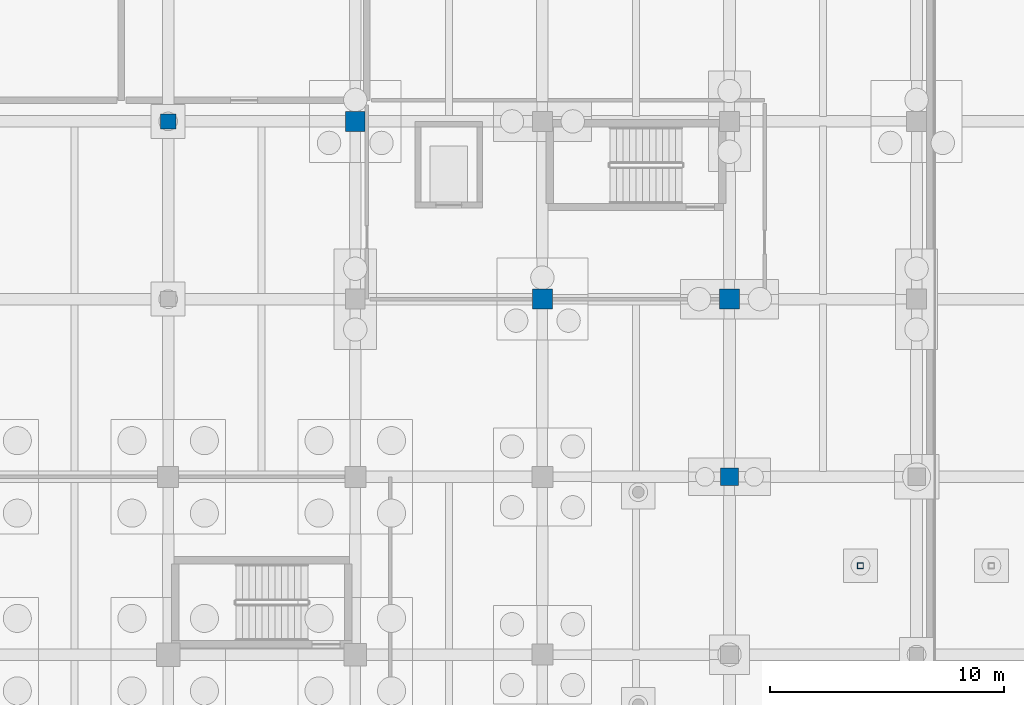
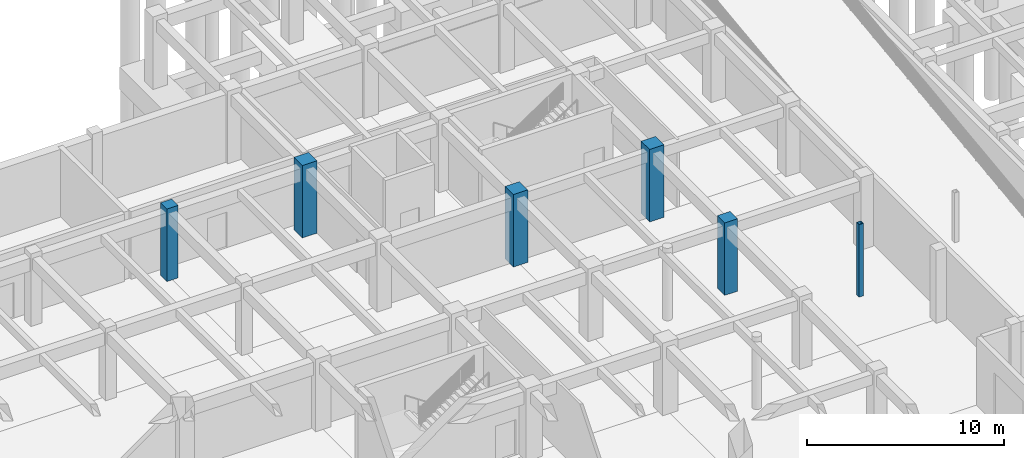
# One storey, part 20 of 49: 6 columns.
"""IFC4 building model written with IfcOpenShell, lengths in metres."""

from ifc_helpers import new_model, si_unit, direction, frame, origin, origin_2d, place, context, subcontext, project, spatial, rectangle, hollow_rectangle, extrude, material, material_profile, profile_set, type_object, element, save


model = new_model("IFC4")

# Units and contexts
model_context = context("Model", 3, precision=1e-05, world=origin(), true_north=direction((0.0, 1.0)))
body_context = subcontext(model_context, "Body", "Model", "MODEL_VIEW")
ifc_project = project(units=[si_unit("LENGTHUNIT", "METRE"), si_unit("AREAUNIT", "SQUARE_METRE"), si_unit("VOLUMEUNIT", "CUBIC_METRE"), si_unit("PLANEANGLEUNIT", "RADIAN"), si_unit("MASSUNIT", "GRAM", prefix="KILO")], contexts=[model_context])

# Site, building, storey
site_placement = place(None, origin())
site = spatial("IfcSite", under=ifc_project, at=site_placement, CompositionType="ELEMENT")
building_placement = place(site_placement, origin())
building = spatial("IfcBuilding", under=site, at=building_placement, Name="Zantavel Square City Hall", CompositionType="ELEMENT")
storey_placement = place(building_placement, frame((0.0, 0.0, -4.5)))
storey = spatial("IfcBuildingStorey", under=building, at=storey_placement, Name="B1", CompositionType="ELEMENT", Elevation=-4.5)

# Columns
ifc_material_1 = material(Name="Concrete C40/50", Category="concrete")
ifc_material_profile_1 = material_profile(ifc_material_1, rectangle(XDim=0.64990234375, YDim=0.64990234375, at=origin_2d()), Name="RC 650x650")
ifc_profile_set_1 = profile_set([ifc_material_profile_1], Name="Concrete C40/50")
column_type_1 = type_object("IfcColumnType", Name="Column RC 650x650 C40/50", PredefinedType="COLUMN", material=ifc_profile_set_1)
column_1_placement = place(storey_placement, frame((96.0, 83.60009765625, 0.0), z_axis=(0.0, 0.0, 1.0), x_axis=(1.0, 0.0, 0.0)))
element("IfcColumn", 1, at=column_1_placement, inside=storey, type_object=column_type_1, Name="B1 Column COL-B1-0960-0836", PredefinedType="COLUMN", context=body_context, shape_type="SweptSolid", body=[
    extrude(rectangle(XDim=0.64990234375, YDim=0.64990234375, at=origin_2d()), origin(), (0.0, 0.0, 1.0), 4.5),
])
ifc_material_profile_2 = material_profile(ifc_material_1, rectangle(XDim=0.75, YDim=0.75, at=origin_2d()), Name="RC 750x750")
ifc_profile_set_2 = profile_set([ifc_material_profile_2], Name="Concrete C40/50")
column_type_2 = type_object("IfcColumnType", Name="Column RC 750x750 C40/50", PredefinedType="COLUMN", material=ifc_profile_set_2)
column_2_placement = place(storey_placement, frame((120.0, 68.39990234375, 0.0), z_axis=(0.0, 0.0, 1.0), x_axis=(1.0, 0.0, 0.0)))
element("IfcColumn", 2, at=column_2_placement, inside=storey, type_object=column_type_2, Name="B1 Column COL-B1-1200-0684", PredefinedType="COLUMN", context=body_context, shape_type="SweptSolid", body=[
    extrude(rectangle(XDim=0.75, YDim=0.75, at=origin_2d()), origin(), (0.0, 0.0, 1.0), 4.5),
])
ifc_material_profile_3 = material_profile(ifc_material_1, rectangle(XDim=0.85009765625, YDim=0.85009765625, at=origin_2d()), Name="RC 850x850")
ifc_profile_set_3 = profile_set([ifc_material_profile_3], Name="Concrete C40/50")
column_type_3 = type_object("IfcColumnType", Name="Column RC 850x850 C40/50", PredefinedType="COLUMN", material=ifc_profile_set_3)
for number, where, z_axis, x_axis, name in (
    (3, (104.0, 83.60009765625, 0.0), (0.0, 0.0, 1.0), (1.0, 0.0, 0.0), "B1 Column COL-B1-1040-0836"),
    (4, (112.0, 76.0, 0.0), (0.0, 0.0, 1.0), (1.0, 0.0, 0.0), "B1 Column COL-B1-1120-0760"),
    (5, (120.0, 76.0, 0.0), (0.0, 0.0, 1.0), (1.0, 0.0, 0.0), "B1 Column COL-B1-1200-0760"),
):
    element("IfcColumn", number, at=place(storey_placement, frame(where, z_axis=z_axis, x_axis=x_axis)), inside=storey, type_object=column_type_3, Name=name, PredefinedType="COLUMN", context=body_context, shape_type="SweptSolid", body=[
        extrude(rectangle(XDim=0.85009765625, YDim=0.85009765625, at=origin_2d()), origin(), (0.0, 0.0, 1.0), 4.5),
    ])
ifc_material_2 = material(Name="Steel ASTM A500 Grade B", Category="steel")
ifc_material_profile_4 = material_profile(ifc_material_2, hollow_rectangle(XDim=0.25390625, YDim=0.25390625, WallThickness=0.0126953125, at=origin_2d()), Name="HSS 254x254x12.7")
ifc_profile_set_4 = profile_set([ifc_material_profile_4], Name="Steel ASTM A500 Grade B")
column_type_4 = type_object("IfcColumnType", Name="Pavilion Steel Column HSS254", PredefinedType="COLUMN", material=ifc_profile_set_4)
column_3_placement = place(storey_placement, frame((125.60009765625, 64.60009765625, 0.0), z_axis=(0.0, 0.0, 1.0), x_axis=(1.0, 0.0, 0.0)))
element("IfcColumn", 6, at=column_3_placement, inside=storey, type_object=column_type_4, Name="B1 Courtyard Skylight Column 1-N", PredefinedType="COLUMN", context=body_context, shape_type="SweptSolid", body=[
    extrude(hollow_rectangle(XDim=0.25390625, YDim=0.25390625, WallThickness=0.0126953125, at=origin_2d()), origin(), (0.0, 0.0, 1.0), 4.5),
])

save(model, "model.ifc")
